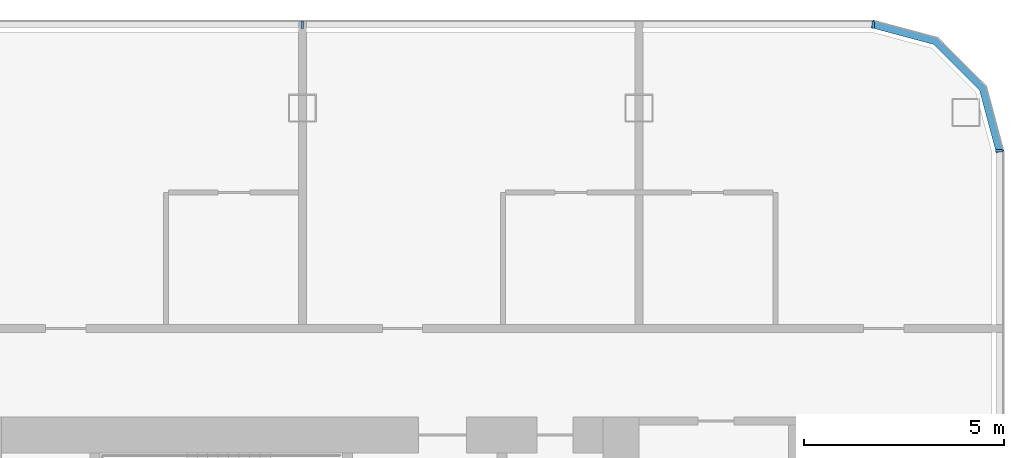
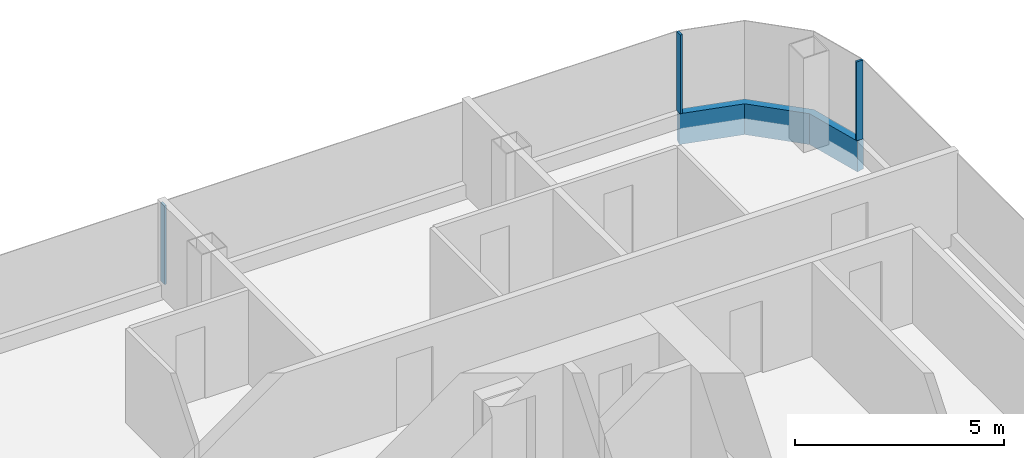
# One storey, part 10 of 26: 4 members, 3 elements without a shape of their own.
"""IFC4 building model written with IfcOpenShell, lengths in metres."""

import ifcopenshell
import ifcopenshell.guid

model = None  # the IFC model being written
_history = None  # IfcOwnerHistory: only IFC2X3 demands one
_inside = {}  # id of a spatial element -> (the spatial element, [elements in it])
_under = {}  # id of a project, library or spatial element -> (it, [spatial elements below it])
_declared = {}  # id of a project -> (the project, [libraries it declares])
_typed = {}  # id of a type object -> (the type object, [elements of that type])
_made_of = {}  # id of a material, layer set ... -> (it, [elements and type objects made of it])


def new_model(schema):
    """Start an empty IFC model of exactly this schema.

    Asked for "IFC4X3", IfcOpenShell would pick the latest addendum, in which some entities
    have other attributes; the version numbers below select the first issue.
    IFC2X3 requires an IfcOwnerHistory on every rooted entity: one is made here for all.
    """
    global model, _history
    if schema == "IFC4X3":
        model = ifcopenshell.file(schema_version=(4, 3, 0, 0))
    else:
        model = ifcopenshell.file(schema=schema)
    _inside.clear()
    _under.clear()
    _declared.clear()
    _typed.clear()
    _made_of.clear()
    _history = None
    if model.schema == "IFC2X3":
        org = make("IfcOrganization", Name="unknown")
        user = make(
            "IfcPersonAndOrganization",
            ThePerson=make("IfcPerson", FamilyName="unknown"),
            TheOrganization=org,
        )
        app = make(
            "IfcApplication",
            ApplicationDeveloper=org,
            Version="unknown",
            ApplicationFullName="unknown",
            ApplicationIdentifier="unknown",
        )
        _history = make(
            "IfcOwnerHistory",
            OwningUser=user,
            OwningApplication=app,
            ChangeAction="ADDED",
            CreationDate=0,
        )
    return model


def make(cls, **values):
    """One entity of the class cls with the attributes given. An attribute that is None is left unset."""
    return model.create_entity(
        cls, **{name: value for name, value in values.items() if value is not None}
    )


def rooted(cls, **values):
    """An entity with a GlobalId (a new one), such as an element, a storey or a relation."""
    return make(cls, GlobalId=ifcopenshell.guid.new(), OwnerHistory=_history, **values)


def si_unit(unit_type, name, prefix=None):
    """IfcSIUnit, for example si_unit("LENGTHUNIT", "METRE", prefix="MILLI")."""
    return make("IfcSIUnit", UnitType=unit_type, Prefix=prefix, Name=name)


def assignment(units):
    """IfcUnitAssignment: the units of a project."""
    return None if units is None else make("IfcUnitAssignment", Units=units)


def point(xyz):
    """IfcCartesianPoint."""
    return None if xyz is None else make("IfcCartesianPoint", Coordinates=xyz)


def direction(xyz):
    """IfcDirection."""
    return None if xyz is None else make("IfcDirection", DirectionRatios=xyz)


def frame(location, z_axis=None, x_axis=None):
    """IfcAxis2Placement3D, a coordinate frame: its origin and axes. An axis left out is left unset."""
    return make(
        "IfcAxis2Placement3D",
        Location=point(location),
        Axis=direction(z_axis),
        RefDirection=direction(x_axis),
    )


def frame_2d(location, x_axis=None):
    """IfcAxis2Placement2D, a coordinate frame in the plane: its origin and x axis."""
    return make(
        "IfcAxis2Placement2D", Location=point(location), RefDirection=direction(x_axis)
    )


def origin():
    """The frame at (0, 0, 0) with its axes left unset."""
    return frame((0.0, 0.0, 0.0))


def origin_2d():
    """The frame at (0, 0) in the plane with its x axis left unset."""
    return frame_2d((0.0, 0.0))


def place(relative_to, where):
    """IfcLocalPlacement: puts the frame where relative to a parent placement (None: the world)."""
    return make(
        "IfcLocalPlacement", PlacementRelTo=relative_to, RelativePlacement=where
    )


def context(
    kind, dimensions, precision=None, world=None, true_north=None, identifier=None
):
    """IfcGeometricRepresentationContext, for example the 3D "Model" context."""
    return make(
        "IfcGeometricRepresentationContext",
        ContextIdentifier=identifier,
        ContextType=kind,
        CoordinateSpaceDimension=dimensions,
        Precision=precision,
        WorldCoordinateSystem=world,
        TrueNorth=true_north,
    )


def subcontext(parent, identifier, kind, view, scale=None):
    """IfcGeometricRepresentationSubContext, for example "Body" below "Model"."""
    return make(
        "IfcGeometricRepresentationSubContext",
        ContextIdentifier=identifier,
        ContextType=kind,
        ParentContext=parent,
        TargetScale=scale,
        TargetView=view,
    )


def project(units=None, contexts=None):
    """IfcProject with its units and contexts."""
    return rooted(
        "IfcProject",
        Name="project",
        RepresentationContexts=contexts,
        UnitsInContext=assignment(units),
    )


def spatial(cls, under=None, at=None, **own):
    """A site, building, storey or space (cls), placed at a placement, below another one or the project."""
    s = rooted(cls, ObjectPlacement=at, **own)
    if under is not None:
        _under.setdefault(under.id(), (under, []))[1].append(s)
    return s


def polyline(points):
    """IfcPolyline through the points."""
    return make("IfcPolyline", Points=[point(p) for p in points])


def profile(cls, at=None, kind="AREA", **sizes):
    """A parametric profile (cls). Its sizes go by their IFC names, for example OverallWidth=200.0."""
    return make(cls, ProfileType=kind, Position=at, **sizes)


def rectangle(**sizes):
    """IfcRectangleProfileDef."""
    return profile("IfcRectangleProfileDef", **sizes)


def outline(outer, holes=None, kind="AREA"):
    """IfcArbitraryClosedProfileDef: a profile drawn as a closed curve; with holes, ...WithVoids."""
    if holes is None:
        return make("IfcArbitraryClosedProfileDef", ProfileType=kind, OuterCurve=outer)
    return make(
        "IfcArbitraryProfileDefWithVoids",
        ProfileType=kind,
        OuterCurve=outer,
        InnerCurves=holes,
    )


def extrude(swept, where, along, depth):
    """IfcExtrudedAreaSolid: the profile swept, set in the frame where, extruded along a direction by depth."""
    return make(
        "IfcExtrudedAreaSolid",
        SweptArea=swept,
        Position=where,
        ExtrudedDirection=direction(along),
        Depth=depth,
    )


def shape(context_of_items, identifier, shape_type, items):
    """IfcShapeRepresentation: the items that make up one representation, for example the "Body"."""
    return make(
        "IfcShapeRepresentation",
        ContextOfItems=context_of_items,
        RepresentationIdentifier=identifier,
        RepresentationType=shape_type,
        Items=items,
    )


def material(Name=None, Category=None):
    """IfcMaterial."""
    return make("IfcMaterial", Name=Name, Category=Category)


def layer(
    of_material, thickness, ventilated=None, Name=None, Category=None, Priority=None
):
    """IfcMaterialLayer: one layer of a wall or slab, of a material (None: an air gap)."""
    return make(
        "IfcMaterialLayer",
        Material=of_material,
        LayerThickness=thickness,
        IsVentilated=ventilated,
        Name=Name,
        Category=Category,
        Priority=Priority,
    )


def layer_set(layers, Name=None):
    """IfcMaterialLayerSet."""
    return make("IfcMaterialLayerSet", MaterialLayers=layers, LayerSetName=Name)


def material_profile(
    of_material, cross_section, Name=None, Category=None, Priority=None
):
    """IfcMaterialProfile: a cross section and its material."""
    return make(
        "IfcMaterialProfile",
        Name=Name,
        Material=of_material,
        Profile=cross_section,
        Priority=Priority,
        Category=Category,
    )


def profile_set(profiles, Name=None, composite=None):
    """IfcMaterialProfileSet."""
    return make(
        "IfcMaterialProfileSet",
        Name=Name,
        MaterialProfiles=profiles,
        CompositeProfile=composite,
    )


def made_of(thing, what):
    """Note that an element or type object is made of a material, layer set ...; save() writes the relation."""
    if what is not None:
        _made_of.setdefault(what.id(), (what, []))[1].append(thing)
    return thing


def type_object(cls, material=None, **own):
    """A type object (cls), such as IfcWallType, which elements share."""
    return made_of(rooted(cls, **own), material)


def element(
    cls,
    number,
    at=None,
    inside=None,
    cuts=None,
    type_object=None,
    material=None,
    context=None,
    identifier="Body",
    shape_type=None,
    held_by="IfcProductDefinitionShape",
    body=None,
    shapes=None,
    **own,
):
    """One element of the class cls, such as IfcWall. Its Tag is "e" and its number.

    at: its placement. inside: the storey or other place that contains it. cuts: it is an
    opening in that element (IfcRelVoidsElement). A single representation is given by context,
    identifier, shape_type and body (its items); several are given by shapes. held_by: the class
    of the entity that holds the representations. save() writes the other relations.
    """
    e = rooted(cls, Tag="e%d" % number, ObjectPlacement=at, **own)
    if body is not None:
        shapes = [shape(context, identifier, shape_type, body)]
    if shapes is not None:
        e.Representation = make(held_by, Representations=shapes)
    if inside is not None:
        _inside.setdefault(inside.id(), (inside, []))[1].append(e)
    if cuts is not None:
        rooted(
            "IfcRelVoidsElement", RelatingBuildingElement=cuts, RelatedOpeningElement=e
        )
    if type_object is not None:
        _typed.setdefault(type_object.id(), (type_object, []))[1].append(e)
    return made_of(e, material)


def aggregate(whole, parts):
    """IfcRelAggregates: a whole, such as a stair, and the parts it consists of."""
    return rooted("IfcRelAggregates", RelatingObject=whole, RelatedObjects=parts)


def save(model, path):
    """Write the relations noted so far, then the file.

    IfcRelAggregates (storeys below a building ...), IfcRelContainedInSpatialStructure (elements
    in a storey), IfcRelDefinesByType, IfcRelAssociatesMaterial and IfcRelDeclares: one each for
    every whole, place, type object, material and project.
    """
    for whole, parts in _under.values():
        aggregate(whole, parts)
    for where, things in _inside.values():
        rooted(
            "IfcRelContainedInSpatialStructure",
            RelatedElements=things,
            RelatingStructure=where,
        )
    for kind, things in _typed.values():
        rooted("IfcRelDefinesByType", RelatedObjects=things, RelatingType=kind)
    for what, things in _made_of.values():
        rooted("IfcRelAssociatesMaterial", RelatedObjects=things, RelatingMaterial=what)
    for by, libraries in _declared.values():
        rooted("IfcRelDeclares", RelatingContext=by, RelatedDefinitions=libraries)
    model.write(path)


model = new_model("IFC4")

# Units and contexts
model_context = context("Model", 3, precision=1e-05, world=origin(), true_north=direction((0.0, 1.0)))
body_context = subcontext(model_context, "Body", "Model", "MODEL_VIEW")
ifc_project = project(units=[si_unit("LENGTHUNIT", "METRE"), si_unit("AREAUNIT", "SQUARE_METRE"), si_unit("VOLUMEUNIT", "CUBIC_METRE"), si_unit("PLANEANGLEUNIT", "RADIAN"), si_unit("MASSUNIT", "GRAM", prefix="KILO")], contexts=[model_context])

# Site, building, storey
site_placement = place(None, origin())
site = spatial("IfcSite", under=ifc_project, at=site_placement, CompositionType="ELEMENT")
building_placement = place(site_placement, origin())
building = spatial("IfcBuilding", under=site, at=building_placement, Name="Hakoniwa Tower and Hamabe Station Hall", CompositionType="ELEMENT")
storey_placement = place(building_placement, frame((0.0, 0.0, 159.800048828125)))
storey = spatial("IfcBuildingStorey", under=building, at=storey_placement, Name="L45", CompositionType="ELEMENT", Elevation=159.800048828125)

# Curtain wall, member
ifc_material_1 = material(Name="Dark low-e laminated glass", Category="glass")
ifc_layer = layer(ifc_material_1, 0.199951171875)
ifc_layer_set = layer_set([ifc_layer], Name="CW-1 UNITISED GUEST")
curtain_wall_type = type_object("IfcCurtainWallType", Name="CW-1 UNITISED GUEST", PredefinedType="NOTDEFINED", material=ifc_layer_set)
curtain_wall_1_placement = place(storey_placement, origin())
curtain_wall_1 = element("IfcCurtainWall", 1, at=curtain_wall_1_placement, inside=storey, type_object=curtain_wall_type, Name="CW-1 curtain wall", PredefinedType="NOTDEFINED")
ifc_material_2 = material(Name="Aluminium 6063-T5 black anodised", Category="aluminium")
ifc_material_profile_1 = material_profile(ifc_material_2, rectangle(XDim=0.199951171875, YDim=0.89990234375, at=origin_2d()), Name="CW SLAB-EDGE BAND 900X200")
ifc_profile_set_1 = profile_set([ifc_material_profile_1], Name="Aluminium 6063-T5 black anodised")
member_type_1 = type_object("IfcMemberType", Name="CW SLAB-EDGE BAND 900X200", PredefinedType="USERDEFINED", material=ifc_profile_set_1)
member_1_placement = place(storey_placement, frame((0.0, 0.0, -0.550048828125)))
member_1 = element("IfcMember", 2, at=member_1_placement, type_object=member_type_1, Name="CW-1 transom", ObjectType="TRANSOM", PredefinedType="USERDEFINED", context=body_context, shape_type="SweptSolid", body=[
    extrude(outline(polyline([(42.699951171875, 15.03955078125), (42.26708984375, 16.6552734375), (41.05517578125, 17.866943359375), (39.439453125, 18.300048828125), (39.3876953125, 18.10693359375), (40.95166015625, 17.687744140625), (42.087646484375, 16.5517578125), (42.5068359375, 14.98779296875), (42.699951171875, 15.03955078125)])), origin(), (0.0, 0.0, 1.0), 0.89990234375),
])
aggregate(curtain_wall_1, [member_1])

curtain_wall_2_placement = place(storey_placement, origin())
curtain_wall_2 = element("IfcCurtainWall", 3, at=curtain_wall_2_placement, inside=storey, type_object=curtain_wall_type, Name="CW-1 curtain wall", PredefinedType="NOTDEFINED")
ifc_material_3 = material(Name="Aluminium 6063-T5 black anodised", Category="aluminium")
ifc_material_profile_2 = material_profile(ifc_material_3, rectangle(XDim=0.06005859375, YDim=0.179931640625, at=origin_2d()), Name="CW-1 MULLION 60X180")
ifc_profile_set_2 = profile_set([ifc_material_profile_2], Name="Aluminium 6063-T5 black anodised")
member_type_2 = type_object("IfcMemberType", Name="CW-1 MULLION 60X180", PredefinedType="MULLION", material=ifc_profile_set_2)
member_2_placement = place(storey_placement, frame((42.58203125, 15.03955078125, 0.349853515625), z_axis=(0.0, 0.0, 1.0), x_axis=(0.0, 1.0, 0.0)))
member_2 = element("IfcMember", 4, at=member_2_placement, type_object=member_type_2, Name="CW-1 mullion", PredefinedType="MULLION", context=body_context, shape_type="SweptSolid", body=[
    extrude(rectangle(XDim=0.06005859375, YDim=0.179931640625, at=origin_2d()), origin(), (0.0, 0.0, 1.0), 2.300048828125),
])
aggregate(curtain_wall_2, [member_2])

# Curtain wall, members
curtain_wall_3_placement = place(storey_placement, origin())
curtain_wall_3 = element("IfcCurtainWall", 5, at=curtain_wall_3_placement, inside=storey, type_object=curtain_wall_type, Name="CW-1 curtain wall", PredefinedType="NOTDEFINED")
member_3_placement = place(storey_placement, frame((39.439453125, 18.181884765625, 0.349853515625), z_axis=(0.0, 0.0, 1.0), x_axis=(-1.0, 0.0, 0.0)))
member_3 = element("IfcMember", 6, at=member_3_placement, type_object=member_type_2, Name="CW-1 mullion", PredefinedType="MULLION", context=body_context, shape_type="SweptSolid", body=[
    extrude(rectangle(XDim=0.06005859375, YDim=0.179931640625, at=origin_2d()), origin(), (0.0, 0.0, 1.0), 2.300048828125),
])
member_4_placement = place(storey_placement, frame((25.199951171875, 18.181884765625, 0.349853515625), z_axis=(0.0, 0.0, 1.0), x_axis=(-1.0, 0.0, 0.0)))
member_4 = element("IfcMember", 7, at=member_4_placement, type_object=member_type_2, Name="CW-1 mullion", PredefinedType="MULLION", context=body_context, shape_type="SweptSolid", body=[
    extrude(rectangle(XDim=0.06005859375, YDim=0.179931640625, at=origin_2d()), origin(), (0.0, 0.0, 1.0), 2.300048828125),
])
aggregate(curtain_wall_3, [member_3, member_4])

save(model, "model.ifc")
